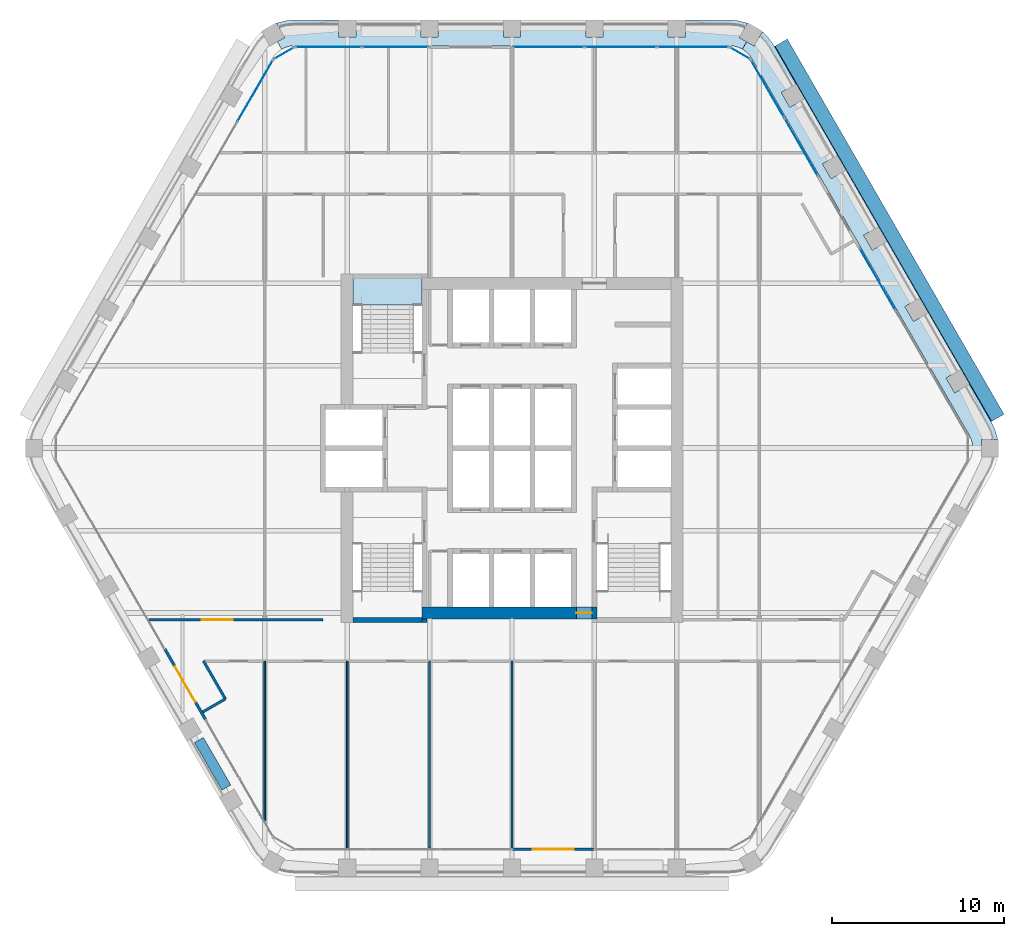
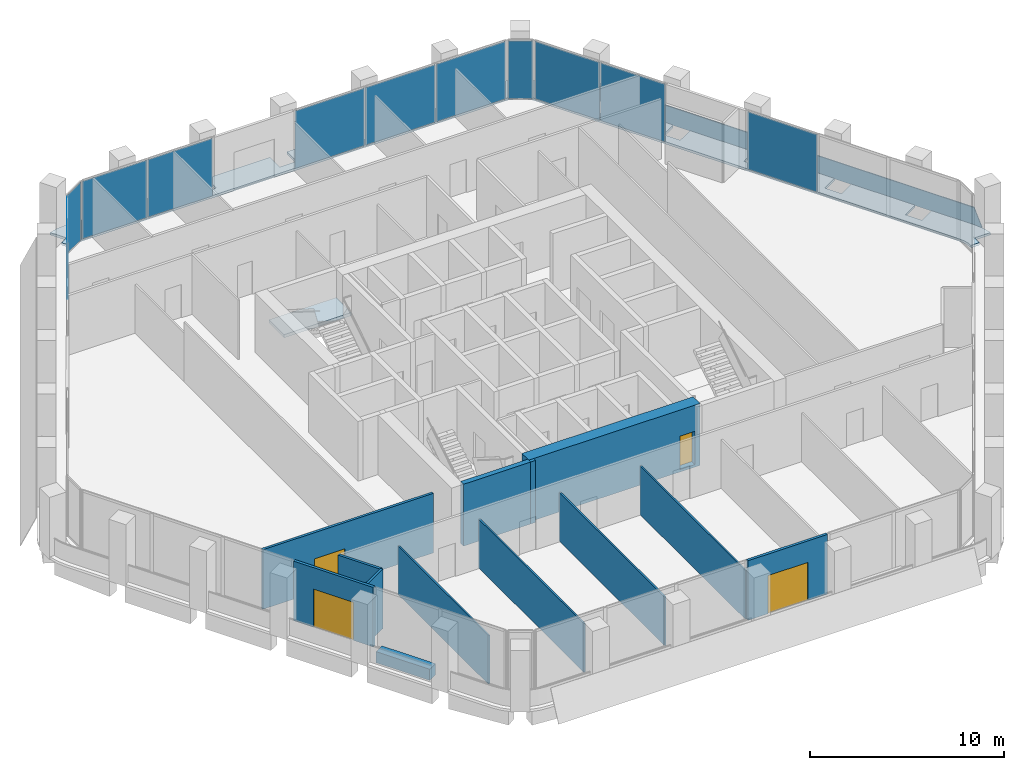
# One storey, part 8 of 15: 13 walls, 12 plates, 4 doors, 3 slabs, 4 openings, 8 elements without a shape of their own.
"""IFC4 building model written with IfcOpenShell, lengths in metres."""

from ifc_helpers import new_model, si_unit, direction, frame, frame_2d, origin, origin_2d, place, context, subcontext, project, spatial, polyline, rectangle, outline, extrude, material, layer, layer_set, type_object, element, fill, aggregate, save


model = new_model("IFC4")

# Units and contexts
model_context = context("Model", 3, precision=1e-05, world=origin(), true_north=direction((0.0, 1.0)))
body_context = subcontext(model_context, "Body", "Model", "MODEL_VIEW")
ifc_project = project(units=[si_unit("LENGTHUNIT", "METRE"), si_unit("AREAUNIT", "SQUARE_METRE"), si_unit("VOLUMEUNIT", "CUBIC_METRE"), si_unit("PLANEANGLEUNIT", "RADIAN"), si_unit("MASSUNIT", "GRAM", prefix="KILO")], contexts=[model_context])

# Site, building, storey
site_placement = place(None, origin())
site = spatial("IfcSite", under=ifc_project, at=site_placement, CompositionType="ELEMENT")
building_placement = place(site_placement, origin())
building = spatial("IfcBuilding", under=site, at=building_placement, Name="Kolab Exchange Tower", CompositionType="ELEMENT")
storey_placement = place(building_placement, frame((0.0, 0.0, 189.5)))
storey = spatial("IfcBuildingStorey", under=building, at=storey_placement, Name="L40", CompositionType="ELEMENT", Elevation=189.5)

# Slabs
ifc_material_1 = material(Name="Concrete C35/45", Category="concrete")
ifc_layer_1 = layer(ifc_material_1, 0.14990234375)
ifc_layer_set_1 = layer_set([ifc_layer_1], Name="Concrete C35/45")
slab_type_1 = type_object("IfcSlabType", Name="LOGGIA SLAB 150", PredefinedType="FLOOR", material=ifc_layer_set_1)
slab_1_placement = place(storey_placement, frame((0.0, 0.0, -0.14990234375)))
element("IfcSlab", 1, at=slab_1_placement, inside=storey, type_object=slab_type_1, Name="slab/L40/loggia/0-0", PredefinedType="FLOOR", context=body_context, shape_type="SweptSolid", body=[
    extrude(outline(polyline([(13.41796875, 23.240478515625), (13.66796875, 23.673583984375), (13.23486328125, 23.923583984375), (13.713134765625, 24.751708984375), (13.694091796875, 24.760498046875), (13.18896484375, 24.89599609375), (12.66796875, 24.941650390625), (10.10009765625, 24.941650390625), (10.10009765625, 23.941650390625), (9.10009765625, 23.941650390625), (9.10009765625, 24.941650390625), (5.300048828125, 24.941650390625), (5.300048828125, 23.941650390625), (4.300048828125, 23.941650390625), (4.300048828125, 24.941650390625), (0.5, 24.941650390625), (0.5, 23.941650390625), (-0.5, 23.941650390625), (-0.5, 24.941650390625), (-4.300048828125, 24.941650390625), (-4.300048828125, 23.941650390625), (-5.300048828125, 23.941650390625), (-5.300048828125, 24.941650390625), (-9.10009765625, 24.941650390625), (-9.10009765625, 23.941650390625), (-10.10009765625, 23.941650390625), (-10.10009765625, 24.941650390625), (-12.66796875, 24.941650390625), (-13.18896484375, 24.89599609375), (-13.694091796875, 24.760498046875), (-13.713134765625, 24.751708984375), (-13.23486328125, 23.923583984375), (-13.66796875, 23.673583984375), (-13.41796875, 23.240478515625), (-13.180908203125, 23.35107421875), (-12.928466796875, 23.418701171875), (-12.66796875, 23.441650390625), (12.66796875, 23.441650390625), (12.928466796875, 23.418701171875), (13.180908203125, 23.35107421875), (13.41796875, 23.240478515625)])), origin(), (0.0, 0.0, 1.0), 0.14990234375),
])
slab_2_placement = place(storey_placement, frame((0.0, 0.0, -0.14990234375)))
element("IfcSlab", 2, at=slab_2_placement, inside=storey, type_object=slab_type_1, Name="slab/L40/loggia/1-0", PredefinedType="FLOOR", context=body_context, shape_type="SweptSolid", body=[
    extrude(outline(polyline([(26.8359375, 0.0), (27.3359375, 0.0), (27.3359375, 0.5), (28.292236328125, 0.5), (28.290283203125, 0.52099609375), (28.155029296875, 1.026123046875), (27.93408203125, 1.5), (26.64990234375, 3.723876953125), (25.783935546875, 3.223876953125), (25.283935546875, 4.08984375), (26.14990234375, 4.58984375), (24.25, 7.880859375), (23.384033203125, 7.380859375), (22.884033203125, 8.246826171875), (23.75, 8.746826171875), (21.85009765625, 12.037841796875), (20.98388671875, 11.537841796875), (20.48388671875, 12.40380859375), (21.35009765625, 12.90380859375), (19.449951171875, 16.194580078125), (18.583984375, 15.694580078125), (18.083984375, 16.560791015625), (18.949951171875, 17.060791015625), (17.050048828125, 20.3515625), (16.18408203125, 19.8515625), (15.68408203125, 20.717529296875), (16.550048828125, 21.217529296875), (15.26611328125, 23.441650390625), (14.966064453125, 23.869873046875), (14.59619140625, 24.23974609375), (14.5791015625, 24.251708984375), (14.10107421875, 23.423583984375), (13.66796875, 23.673583984375), (13.41796875, 23.240478515625), (13.632080078125, 23.090576171875), (13.81689453125, 22.90576171875), (13.967041015625, 22.691650390625), (26.635009765625, 0.75), (26.745361328125, 0.512939453125), (26.81298828125, 0.260498046875), (26.8359375, 0.0)])), origin(), (0.0, 0.0, 1.0), 0.14990234375),
])

# Plate
ifc_material_2 = material(Name="Laminated glass, clear", Category="glass")
ifc_layer_2 = layer(ifc_material_2, 0.0400390625)
ifc_layer_set_2 = layer_set([ifc_layer_2], Name="Laminated glass, clear")
plate_type_1 = type_object("IfcPlateType", Name="OUTER SKIN LAMINATED GLASS SHEET 40", PredefinedType="SHEET", material=ifc_layer_set_2)
plate_1_placement = place(storey_placement, frame((16.040283203125, 23.830810546875, -0.68310546875), z_axis=(0.784898656704, 0.453161865271, 0.422585402693), x_axis=(0.499999968995, -0.866025421685, 9.26315e-07)))
element("IfcPlate", 3, at=plate_1_placement, inside=storey, type_object=plate_type_1, Name="Outer skin", PredefinedType="SHEET", context=body_context, shape_type="SweptSolid", body=[
    extrude(outline(polyline([(0.0, 0.0), (25.23592824607872, 0.0), (25.235843279343595, -1.9612922777250177), (0.00012646525258337368, -1.961343862676479), (0.0, 0.0)])), origin(), (0.0, 0.0, -1.0), 0.0400390625),
])

# Stair, slab
ifc_material_3 = material(Name="Concrete C50/60", Category="concrete")
stair_type = type_object("IfcStairType", Name="STAIR ST1 RISER 177.3", PredefinedType="HALF_TURN_STAIR", material=ifc_material_3)
stair_placement = place(storey_placement, origin())
stair = element("IfcStair", 4, at=stair_placement, inside=storey, type_object=stair_type, Name="Stair 1", PredefinedType="HALF_TURN_STAIR")
ifc_layer_3 = layer(ifc_material_3, 0.199951171875)
ifc_layer_set_3 = layer_set([ifc_layer_3], Name="Concrete C50/60")
slab_type_2 = type_object("IfcSlabType", Name="STAIR LANDING 200", PredefinedType="LANDING", material=ifc_layer_set_3)
slab_3_placement = place(storey_placement, frame((0.0, 0.0, 1.75)))
slab_3 = element("IfcSlab", 5, at=slab_3_placement, type_object=slab_type_2, Name="ST1 landing 2", PredefinedType="LANDING", context=body_context, shape_type="SweptSolid", body=[
    extrude(outline(polyline([(-9.25, 8.35009765625), (-5.25, 8.35009765625), (-5.25, 9.909912109375), (-9.25, 9.909912109375), (-9.25, 8.35009765625)])), origin(), (0.0, 0.0, 1.0), 0.199951171875),
])
aggregate(stair, [slab_3])

# Curtain wall, plates
ifc_material_4 = material(Name="Aluminium EN AW-6063 T6", Category="aluminium")
curtain_wall_type = type_object("IfcCurtainWallType", Name="UNITISED UPPER MID ZONE CURTAIN WALL", PredefinedType="NOTDEFINED", material=ifc_material_4)
curtain_wall_1_placement = place(storey_placement, origin())
curtain_wall_1 = element("IfcCurtainWall", 6, at=curtain_wall_1_placement, inside=storey, type_object=curtain_wall_type, Name="cw/L40/F1-1", PredefinedType="NOTDEFINED")
ifc_material_5 = material(Name="Clear insulated glazing unit", Category="glass")
ifc_layer_4 = layer(ifc_material_5, 0.028076171875)
ifc_layer_set_4 = layer_set([ifc_layer_4], Name="Clear insulated glazing unit")
plate_type_2 = type_object("IfcPlateType", Name="UNITISED UPPER MID ZONE GLASS PANEL 28", PredefinedType="CURTAIN_PANEL", material=ifc_layer_set_4)
plate_2_placement = place(storey_placement, frame((-10.68603515625, 23.361572265625, 0.06005859375), z_axis=(0.0, 0.0, 1.0), x_axis=(1.0, 0.0, 0.0)))
plate_2 = element("IfcPlate", 7, at=plate_2_placement, type_object=plate_type_2, Name="CW3 panel 1.1", PredefinedType="CURTAIN_PANEL", context=body_context, shape_type="SweptSolid", body=[
    extrude(rectangle(XDim=3.843994140625, YDim=0.028076171875, at=origin_2d()), origin(), (0.0, 0.0, 1.0), 3.6298828125),
])
plate_3_placement = place(storey_placement, frame((-6.781982421875, 23.361572265625, 0.06005859375), z_axis=(0.0, 0.0, 1.0), x_axis=(1.0, 0.0, 0.0)))
plate_3 = element("IfcPlate", 8, at=plate_3_placement, type_object=plate_type_2, Name="CW3 panel 2.1", PredefinedType="CURTAIN_PANEL", context=body_context, shape_type="SweptSolid", body=[
    extrude(rectangle(XDim=3.843994140625, YDim=0.028076171875, at=origin_2d()), origin(), (0.0, 0.0, 1.0), 3.6298828125),
])
aggregate(curtain_wall_1, [plate_2, plate_3])

curtain_wall_2_placement = place(storey_placement, origin())
curtain_wall_2 = element("IfcCurtainWall", 9, at=curtain_wall_2_placement, inside=storey, type_object=curtain_wall_type, Name="cw/L40/F1-2", PredefinedType="NOTDEFINED")
plate_4_placement = place(storey_placement, frame((2.126220703125, 23.361572265625, 0.06005859375), z_axis=(0.0, 0.0, 1.0), x_axis=(1.0, 0.0, 0.0)))
plate_4 = element("IfcPlate", 10, at=plate_4_placement, type_object=plate_type_2, Name="CW3 panel 1.1", PredefinedType="CURTAIN_PANEL", context=body_context, shape_type="SweptSolid", body=[
    extrude(rectangle(XDim=4.132568359375, YDim=0.028076171875, at=origin_2d()), origin(), (0.0, 0.0, 1.0), 3.6298828125),
])
plate_5_placement = place(storey_placement, frame((6.333984375, 23.361572265625, 0.06005859375), z_axis=(0.0, 0.0, 1.0), x_axis=(1.0, 0.0, 0.0)))
plate_5 = element("IfcPlate", 11, at=plate_5_placement, type_object=plate_type_2, Name="CW3 panel 2.1", PredefinedType="CURTAIN_PANEL", context=body_context, shape_type="SweptSolid", body=[
    extrude(rectangle(XDim=4.16259765625, YDim=0.028076171875, at=origin_2d()), origin(), (0.0, 0.0, 1.0), 3.6298828125),
])
plate_6_placement = place(storey_placement, frame((10.54150390625, 23.361572265625, 0.06005859375), z_axis=(0.0, 0.0, 1.0), x_axis=(1.0, 0.0, 0.0)))
plate_6 = element("IfcPlate", 12, at=plate_6_placement, type_object=plate_type_2, Name="CW3 panel 3.1", PredefinedType="CURTAIN_PANEL", context=body_context, shape_type="SweptSolid", body=[
    extrude(rectangle(XDim=4.132568359375, YDim=0.028076171875, at=origin_2d()), origin(), (0.0, 0.0, 1.0), 3.6298828125),
])
aggregate(curtain_wall_2, [plate_4, plate_5, plate_6])

curtain_wall_3_placement = place(storey_placement, origin())
curtain_wall_3 = element("IfcCurtainWall", 13, at=curtain_wall_3_placement, inside=storey, type_object=curtain_wall_type, Name="cw/L40/F2-1", PredefinedType="NOTDEFINED")
plate_7_placement = place(storey_placement, frame((14.888671875, 20.93505859375, 0.06005859375), z_axis=(0.0, 0.0, 1.0), x_axis=(0.500000031681, -0.866025385493, 0.0)))
plate_7 = element("IfcPlate", 14, at=plate_7_placement, type_object=plate_type_2, Name="CW3 panel 1.1", PredefinedType="CURTAIN_PANEL", context=body_context, shape_type="SweptSolid", body=[
    extrude(rectangle(XDim=3.843994140625, YDim=0.028076171875, at=origin_2d()), origin(), (0.0, 0.0, 1.0), 3.6298828125),
])
plate_8_placement = place(storey_placement, frame((16.840576171875, 17.55419921875, 0.06005859375), z_axis=(0.0, 0.0, 1.0), x_axis=(0.500000031681, -0.866025385493, 0.0)))
plate_8 = element("IfcPlate", 15, at=plate_8_placement, type_object=plate_type_2, Name="CW3 panel 2.1", PredefinedType="CURTAIN_PANEL", context=body_context, shape_type="SweptSolid", body=[
    extrude(rectangle(XDim=3.843994140625, YDim=0.028076171875, at=origin_2d()), origin(), (0.0, 0.0, 1.0), 3.6298828125),
])
aggregate(curtain_wall_3, [plate_7, plate_8])

# Curtain wall, plate
curtain_wall_4_placement = place(storey_placement, origin())
curtain_wall_4 = element("IfcCurtainWall", 16, at=curtain_wall_4_placement, inside=storey, type_object=curtain_wall_type, Name="cw/L40/F2-2", PredefinedType="NOTDEFINED")
plate_9_placement = place(storey_placement, frame((21.294921875, 9.83935546875, 0.06005859375), z_axis=(0.0, 0.0, 1.0), x_axis=(0.499999958358, -0.866025427826, 0.0)))
plate_9 = element("IfcPlate", 17, at=plate_9_placement, type_object=plate_type_2, Name="CW3 panel 1.1", PredefinedType="CURTAIN_PANEL", context=body_context, shape_type="SweptSolid", body=[
    extrude(rectangle(XDim=4.132568359375, YDim=0.028076171875, at=origin_2d()), origin(), (0.0, 0.0, 1.0), 3.6298828125),
])
aggregate(curtain_wall_4, [plate_9])

curtain_wall_5_placement = place(storey_placement, origin())
curtain_wall_5 = element("IfcCurtainWall", 18, at=curtain_wall_5_placement, inside=storey, type_object=curtain_wall_type, Name="cw/L40/F6-2", PredefinedType="NOTDEFINED")
plate_10_placement = place(storey_placement, frame((-14.9609375, 20.81005859375, 0.06005859375), z_axis=(0.0, 0.0, 1.0), x_axis=(0.500000017564, 0.866025393644, 0.0)))
plate_10 = element("IfcPlate", 19, at=plate_10_placement, type_object=plate_type_2, Name="CW3 panel 3.1", PredefinedType="CURTAIN_PANEL", context=body_context, shape_type="SweptSolid", body=[
    extrude(rectangle(XDim=4.132568359375, YDim=0.028076171875, at=origin_2d()), origin(), (0.0, 0.0, 1.0), 3.6298828125),
])
aggregate(curtain_wall_5, [plate_10])

curtain_wall_6_placement = place(storey_placement, origin())
curtain_wall_6 = element("IfcCurtainWall", 20, at=curtain_wall_6_placement, inside=storey, type_object=curtain_wall_type, Name="cw/L40/F1F2-corner", PredefinedType="NOTDEFINED")
plate_11_placement = place(storey_placement, frame((13.28271484375, 23.006591796875, 0.06005859375), z_axis=(0.0, 0.0, 1.0), x_axis=(0.866025390869, -0.50000002237, 0.0)))
plate_11 = element("IfcPlate", 21, at=plate_11_placement, type_object=plate_type_2, Name="CW3 panel 1.1", PredefinedType="CURTAIN_PANEL", context=body_context, shape_type="SweptSolid", body=[
    extrude(rectangle(XDim=1.300048828125, YDim=0.028076171875, at=origin_2d()), origin(), (0.0, 0.0, 1.0), 3.6298828125),
])
aggregate(curtain_wall_6, [plate_11])

curtain_wall_7_placement = place(storey_placement, origin())
curtain_wall_7 = element("IfcCurtainWall", 22, at=curtain_wall_7_placement, inside=storey, type_object=curtain_wall_type, Name="cw/L40/F6F1-corner", PredefinedType="NOTDEFINED")
plate_12_placement = place(storey_placement, frame((-13.28271484375, 23.006591796875, 0.06005859375), z_axis=(0.0, 0.0, 1.0), x_axis=(0.866025390869, 0.50000002237, 0.0)))
plate_12 = element("IfcPlate", 23, at=plate_12_placement, type_object=plate_type_2, Name="CW3 panel 1.1", PredefinedType="CURTAIN_PANEL", context=body_context, shape_type="SweptSolid", body=[
    extrude(rectangle(XDim=1.300048828125, YDim=0.028076171875, at=origin_2d()), origin(), (0.0, 0.0, 1.0), 3.6298828125),
])
aggregate(curtain_wall_7, [plate_12])

# Wall, opening, door
ifc_material_6 = material(Name="Concrete C60/75", Category="concrete")
ifc_layer_5 = layer(ifc_material_6, 0.699951171875)
ifc_layer_set_5 = layer_set([ifc_layer_5], Name="Concrete C60/75")
wall_type_1 = type_object("IfcWallType", Name="CORE WALL 700 C60/75", PredefinedType="SHEAR", material=ifc_layer_set_5)
wall_1_placement = place(storey_placement, frame((-5.25, -9.60009765625, -0.14990234375), z_axis=(0.0, 0.0, 1.0), x_axis=(1.0, 0.0, 0.0)))
wall_1 = element("IfcWall", 24, at=wall_1_placement, inside=storey, type_object=wall_type_1, Name="wall/L40/core/002", PredefinedType="SHEAR", context=body_context, shape_type="SweptSolid", body=[
    extrude(rectangle(XDim=10.199951171875, YDim=0.699951171875, at=frame_2d((5.10009765625, 0.0))), origin(), (0.0, 0.0, 1.0), 3.89990234375),
])
opening_1_placement = place(wall_1_placement, frame((9.0, 0.0, 0.14990234375)))
opening_1 = element("IfcOpeningElement", 25, at=opening_1_placement, cuts=wall_1, Name="Opening D6-287", PredefinedType="OPENING", context=body_context, shape_type="SweptSolid", body=[
    extrude(rectangle(XDim=0.89990234375, YDim=2.10009765625, at=frame_2d((0.449951171875, 1.050048828125))), frame((0.0, 0.35986328125, 0.0), z_axis=(0.0, -1.0, 0.0), x_axis=(1.0, 0.0, 0.0)), (0.0, 0.0, 1.0), 0.719970703125),
])
ifc_material_7 = material(Name="Steel S235", Category="steel")
door_type_1 = type_object("IfcDoorType", Name="CORE DOOR 900 EI 120", OperationType="SINGLE_SWING_LEFT", PredefinedType="DOOR", material=ifc_material_7)
door_1_placement = place(opening_1_placement, origin())
door_1 = element("IfcDoor", 26, at=door_1_placement, inside=storey, type_object=door_type_1, Name="Core lobby door", OperationType="SINGLE_SWING_LEFT", OverallHeight=2.10009765625, OverallWidth=0.89990234375, PredefinedType="DOOR", context=body_context, shape_type="SweptSolid", body=[
    extrude(rectangle(XDim=0.89990234375, YDim=2.10009765625, at=frame_2d((0.449951171875, 1.050048828125))), frame((0.0, 0.02490234375, 0.0), z_axis=(0.0, -1.0, 0.0), x_axis=(1.0, 0.0, 0.0)), (0.0, 0.0, 1.0), 0.050048828125),
])
fill(opening_1, door_1)

ifc_layer_6 = layer(ifc_material_4, 0.159912109375)
ifc_layer_set_6 = layer_set([ifc_layer_6], Name="Aluminium EN AW-6063 T6")
wall_type_2 = type_object("IfcWallType", Name="DOOR SURROUND WALL 160 ALUMINIUM FRAMED", PredefinedType="PARTITIONING", material=ifc_layer_set_6)
wall_2_placement = place(storey_placement, frame((4.77001953125, -23.361572265625, 0.0), z_axis=(0.0, 0.0, 1.0), x_axis=(-1.0, 0.0, 0.0)))
wall_2 = element("IfcWall", 27, at=wall_2_placement, inside=storey, type_object=wall_type_2, Name="Door surround wall", PredefinedType="PARTITIONING", context=body_context, shape_type="SweptSolid", body=[
    extrude(rectangle(XDim=4.739990234375, YDim=0.159912109375, at=frame_2d((2.3701171875, 0.0))), origin(), (0.0, 0.0, 1.0), 3.75),
])
opening_2_placement = place(wall_2_placement, frame((1.169921875, 0.0, 0.0)))
opening_2 = element("IfcOpeningElement", 28, at=opening_2_placement, cuts=wall_2, Name="Opening GD1-067", PredefinedType="OPENING", context=body_context, shape_type="SweptSolid", body=[
    extrude(rectangle(XDim=2.39990234375, YDim=2.39990234375, at=frame_2d((1.199951171875, 1.199951171875))), frame((0.0, 0.08984375, 0.0), z_axis=(0.0, -1.0, 0.0), x_axis=(1.0, 0.0, 0.0)), (0.0, 0.0, 1.0), 0.179931640625),
])
door_type_2 = type_object("IfcDoorType", Name="LOGGIA SLIDING GLASS DOOR 2400 X 2400", OperationType="DOUBLE_DOOR_SINGLE_SWING", PredefinedType="DOOR", material=ifc_material_4)
door_2_placement = place(opening_2_placement, origin())
door_2 = element("IfcDoor", 29, at=door_2_placement, inside=storey, type_object=door_type_2, Name="Loggia door", OperationType="DOUBLE_DOOR_SLIDING", OverallHeight=2.39990234375, OverallWidth=2.39990234375, PredefinedType="DOOR", context=body_context, shape_type="SweptSolid", body=[
    extrude(rectangle(XDim=2.39990234375, YDim=2.39990234375, at=frame_2d((1.199951171875, 1.199951171875))), frame((0.0, 0.02490234375, 0.0), z_axis=(0.0, -1.0, 0.0), x_axis=(1.0, 0.0, 0.0)), (0.0, 0.0, 1.0), 0.050048828125),
])
fill(opening_2, door_2)

wall_3_placement = place(storey_placement, frame((-17.8466796875, -15.811767578125, 0.0), z_axis=(0.0, 0.0, 1.0), x_axis=(-0.5000167099, 0.866015756104, 0.0)))
wall_3 = element("IfcWall", 30, at=wall_3_placement, inside=storey, type_object=wall_type_2, Name="Door surround wall", PredefinedType="PARTITIONING", context=body_context, shape_type="SweptSolid", body=[
    extrude(rectangle(XDim=4.739990234375, YDim=0.159912109375, at=frame_2d((2.3701171875, 0.0))), origin(), (0.0, 0.0, 1.0), 3.75),
])
opening_3_placement = place(wall_3_placement, frame((1.169921875, 0.0, 0.0)))
opening_3 = element("IfcOpeningElement", 31, at=opening_3_placement, cuts=wall_3, Name="Opening GD1-068", PredefinedType="OPENING", context=body_context, shape_type="SweptSolid", body=[
    extrude(rectangle(XDim=2.39990234375, YDim=2.39990234375, at=frame_2d((1.199951171875, 1.199951171875))), frame((0.0, 0.08984375, 0.0), z_axis=(0.0, -1.0, 0.0), x_axis=(1.0, 0.0, 0.0)), (0.0, 0.0, 1.0), 0.179931640625),
])
door_3_placement = place(opening_3_placement, origin())
door_3 = element("IfcDoor", 32, at=door_3_placement, inside=storey, type_object=door_type_2, Name="Loggia door", OperationType="DOUBLE_DOOR_SLIDING", OverallHeight=2.39990234375, OverallWidth=2.39990234375, PredefinedType="DOOR", context=body_context, shape_type="SweptSolid", body=[
    extrude(rectangle(XDim=2.39990234375, YDim=2.39990234375, at=frame_2d((1.199951171875, 1.199951171875))), frame((0.0, 0.02490234375, 0.0), z_axis=(0.0, -1.0, 0.0), x_axis=(1.0, 0.0, 0.0)), (0.0, 0.0, 1.0), 0.050048828125),
])
fill(opening_3, door_3)

# Walls
ifc_material_8 = material(Name="Gypsum board", Category="gypsum")
ifc_layer_7 = layer(ifc_material_8, 0.10009765625)
ifc_layer_set_7 = layer_set([ifc_layer_7], Name="Gypsum board")
wall_type_3 = type_object("IfcWallType", Name="PARTITION 100", PredefinedType="PARTITIONING", material=ifc_layer_set_7)
wall_4_placement = place(storey_placement, frame((0.0, -23.281494140625, 0.0), z_axis=(0.0, 0.0, 1.0), x_axis=(0.0, 1.0, 0.0)))
element("IfcWall", 33, at=wall_4_placement, inside=storey, type_object=wall_type_3, Name="Partition 010", PredefinedType="PARTITIONING", context=body_context, shape_type="SweptSolid", body=[
    extrude(rectangle(XDim=10.881591796875, YDim=0.10009765625, at=frame_2d((5.44091796875, 0.0))), origin(), (0.0, 0.0, 1.0), 3.06591796875),
])
for number, where, z_axis, x_axis, name in (
    (34, (-4.800048828125, -23.271484375, 0.0), (0.0, 0.0, 1.0), (0.0, 1.0, 0.0), "Partition 013"),
    (35, (-9.60009765625, -23.271484375, 0.0), (0.0, 0.0, 1.0), (0.0, 1.0, 0.0), "Partition 018"),
):
    element("IfcWall", number, at=place(storey_placement, frame(where, z_axis=z_axis, x_axis=x_axis)), inside=storey, type_object=wall_type_3, Name=name, PredefinedType="PARTITIONING", context=body_context, shape_type="SweptSolid", body=[
        extrude(rectangle(XDim=10.87158203125, YDim=0.10009765625, at=frame_2d((5.435791015625, 0.0))), origin(), (0.0, 0.0, 1.0), 3.06591796875),
    ])
wall_5_placement = place(storey_placement, frame((-14.39990234375, -21.701416015625, 0.0), z_axis=(0.0, 0.0, 1.0), x_axis=(0.0, 1.0, 0.0)))
element("IfcWall", 36, at=wall_5_placement, inside=storey, type_object=wall_type_3, Name="Partition 021", PredefinedType="PARTITIONING", context=body_context, shape_type="SweptSolid", body=[
    extrude(rectangle(XDim=9.301513671875, YDim=0.10009765625, at=frame_2d((4.65087890625, 0.0))), origin(), (0.0, 0.0, 1.0), 3.06591796875),
])
ifc_layer_8 = layer(ifc_material_8, 0.14990234375)
ifc_layer_set_8 = layer_set([ifc_layer_8], Name="Gypsum board")
wall_type_4 = type_object("IfcWallType", Name="PARTITION 150 FIRE-RATED", PredefinedType="PARTITIONING", material=ifc_layer_set_8)
wall_6_placement = place(storey_placement, frame((-17.968994140625, -12.39990234375, 0.0), z_axis=(0.0, 0.0, 1.0), x_axis=(0.499996383721, -0.866027491634, 0.0)))
element("IfcWall", 37, at=wall_6_placement, inside=storey, type_object=wall_type_4, Name="Partition 023", PredefinedType="PARTITIONING", context=body_context, shape_type="SweptSolid", body=[
    extrude(rectangle(XDim=2.5458984375, YDim=0.14990234375, at=frame_2d((1.27294921875, 0.0))), origin(), (0.0, 0.0, 1.0), 3.75),
])
wall_7_placement = place(storey_placement, frame((-18.012451171875, -15.36474609375, 0.0), z_axis=(0.0, 0.0, 1.0), x_axis=(0.866030456496, 0.499991248344, 0.0)))
element("IfcWall", 38, at=wall_7_placement, inside=storey, type_object=wall_type_4, Name="Partition 027", PredefinedType="PARTITIONING", context=body_context, shape_type="SweptSolid", body=[
    extrude(rectangle(XDim=1.52001953125, YDim=0.14990234375, at=frame_2d((0.760009765625, 0.0))), origin(), (0.0, 0.0, 1.0), 3.75),
])

# Wall, opening, door
wall_8_placement = place(storey_placement, frame((-21.156005859375, -10.0, 0.0), z_axis=(0.0, 0.0, 1.0), x_axis=(1.0, 0.0, 0.0)))
wall_8 = element("IfcWall", 39, at=wall_8_placement, inside=storey, type_object=wall_type_4, Name="Partition 030", PredefinedType="PARTITIONING", context=body_context, shape_type="SweptSolid", body=[
    extrude(rectangle(XDim=10.156005859375, YDim=0.14990234375, at=frame_2d((5.078125, 0.0))), origin(), (0.0, 0.0, 1.0), 3.75),
])
opening_4_placement = place(wall_8_placement, frame((3.082763671875, 0.0, 0.0)))
opening_4 = element("IfcOpeningElement", 40, at=opening_4_placement, cuts=wall_8, Name="Opening D2-047", PredefinedType="OPENING", context=body_context, shape_type="SweptSolid", body=[
    extrude(rectangle(XDim=1.800048828125, YDim=2.10009765625, at=frame_2d((0.89990234375, 1.050048828125))), frame((0.0, 0.0849609375, 0.0), z_axis=(0.0, -1.0, 0.0), x_axis=(1.0, 0.0, 0.0)), (0.0, 0.0, 1.0), 0.169921875),
])
door_type_3 = type_object("IfcDoorType", Name="DOUBLE DOOR 1800 FD60", OperationType="DOUBLE_DOOR_SINGLE_SWING", PredefinedType="DOOR", material=ifc_material_7)
door_4_placement = place(opening_4_placement, origin())
door_4 = element("IfcDoor", 41, at=door_4_placement, inside=storey, type_object=door_type_3, Name="Door L40-051", OperationType="SINGLE_SWING_RIGHT", OverallHeight=2.10009765625, OverallWidth=1.800048828125, PredefinedType="DOOR", context=body_context, shape_type="SweptSolid", body=[
    extrude(rectangle(XDim=1.800048828125, YDim=2.10009765625, at=frame_2d((0.89990234375, 1.050048828125))), frame((0.0, 0.02490234375, 0.0), z_axis=(0.0, -1.0, 0.0), x_axis=(1.0, 0.0, 0.0)), (0.0, 0.0, 1.0), 0.050048828125),
])
fill(opening_4, door_4)

# Walls
ifc_material_9 = material(Name="Granite facing", Category="masonry")
ifc_layer_9 = layer(ifc_material_9, 0.0400390625)
ifc_material_10 = material(Name="Concrete C40/50 precast", Category="concrete")
ifc_layer_10 = layer(ifc_material_10, 0.56005859375)
ifc_layer_set_9 = layer_set([ifc_layer_9, ifc_layer_10], Name="Concrete C40/50 precast")
wall_type_5 = type_object("IfcWallType", Name="PLANTER BOX 600 X 700 SOIL DEPTH 550", PredefinedType="USERDEFINED", material=ifc_layer_set_9)
wall_9_placement = place(storey_placement, frame((-16.636962890625, -19.766845703125, 0.0), z_axis=(0.0, 0.0, 1.0), x_axis=(-0.500028443584, 0.866008981251, 0.0)))
element("IfcWall", 42, at=wall_9_placement, inside=storey, type_object=wall_type_5, Name="Planter", ObjectType="PLANTER", PredefinedType="USERDEFINED", context=body_context, shape_type="SweptSolid", body=[
    extrude(rectangle(XDim=3.199951171875, YDim=0.60009765625, at=frame_2d((1.60009765625, 0.0))), origin(), (0.0, 0.0, 1.0), 0.699951171875),
])
ifc_layer_11 = layer(ifc_material_3, 0.300048828125)
ifc_layer_set_10 = layer_set([ifc_layer_11], Name="Concrete C50/60")
wall_type_6 = type_object("IfcWallType", Name="STAIR ENCLOSURE WALL 300 C50/60", PredefinedType="STANDARD", material=ifc_layer_set_10)
wall_10_placement = place(storey_placement, frame((-9.25, -10.0, -0.14990234375), z_axis=(0.0, 0.0, 1.0), x_axis=(1.0, 0.0, 0.0)))
element("IfcWall", 43, at=wall_10_placement, inside=storey, type_object=wall_type_6, Name="wall/L40/core/000", PredefinedType="STANDARD", context=body_context, shape_type="SweptSolid", body=[
    extrude(rectangle(XDim=4.0, YDim=0.300048828125, at=frame_2d((2.0, 0.0))), origin(), (0.0, 0.0, 1.0), 3.89990234375),
])
wall_11_placement = place(storey_placement, frame((-5.10009765625, -10.14990234375, -0.14990234375), z_axis=(0.0, 0.0, 1.0), x_axis=(0.0, 1.0, 0.0)))
element("IfcWall", 44, at=wall_11_placement, inside=storey, type_object=wall_type_6, Name="wall/L40/core/039", PredefinedType="STANDARD", context=body_context, shape_type="SweptSolid", body=[
    extrude(rectangle(XDim=0.199951171875, YDim=0.300048828125, at=frame_2d((0.10009765625, 0.0))), origin(), (0.0, 0.0, 1.0), 3.89990234375),
])

save(model, "model.ifc")
